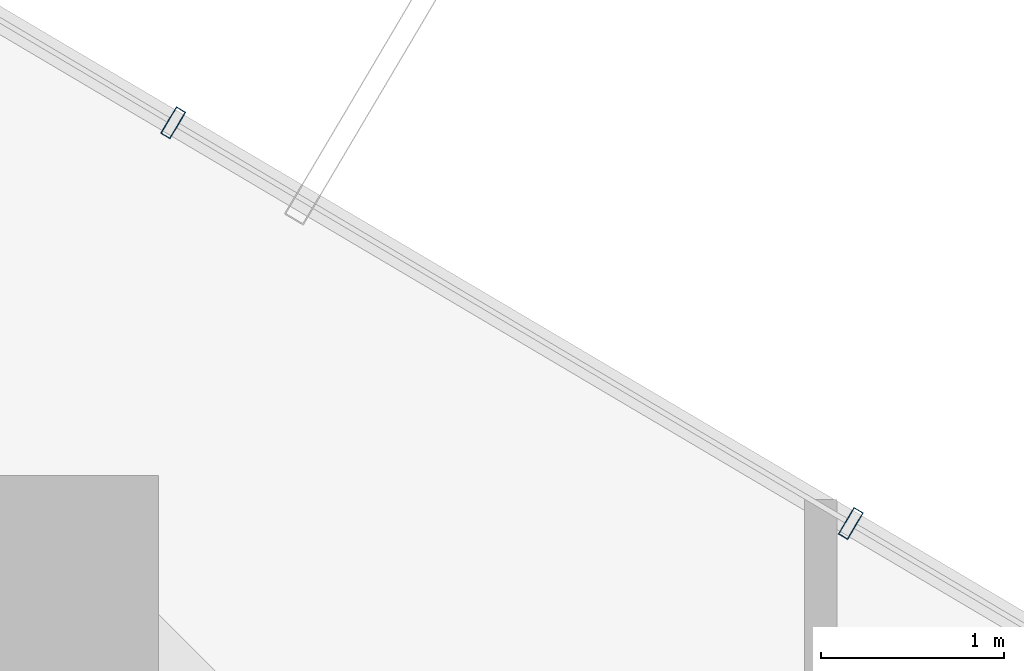
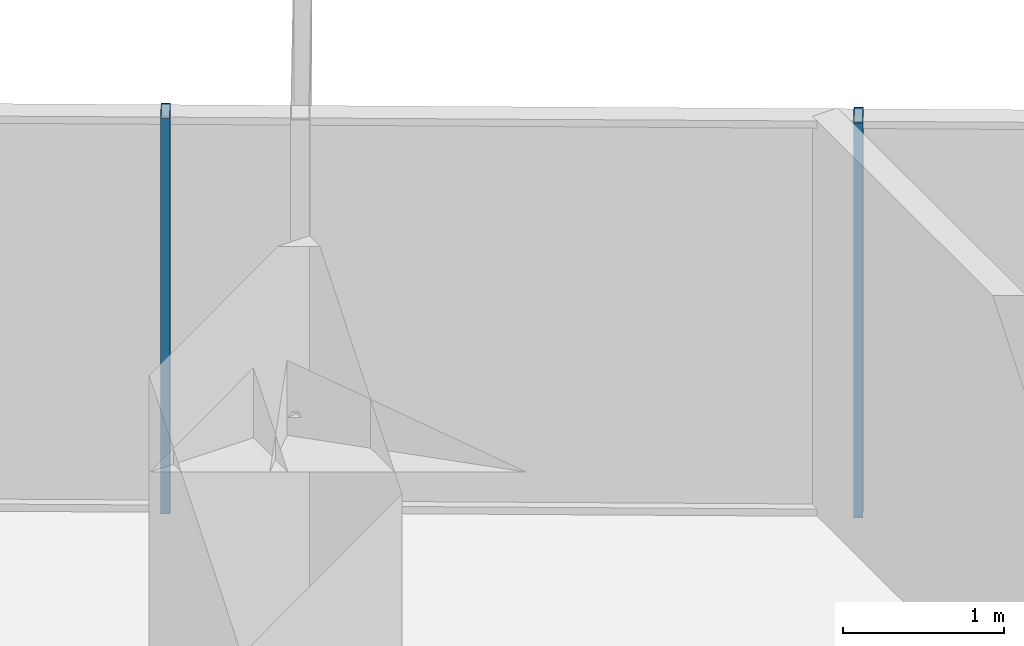
# One storey, part 21 of 30: 2 members, 1 element without a shape of its own.
"""IFC4 building model written with IfcOpenShell, lengths in metres."""

from ifc_helpers import new_model, si_unit, direction, frame, origin, origin_2d, place, context, subcontext, project, spatial, hollow_rectangle, extrude, source, transform, mapped, material, layer, layer_set, material_profile, profile_set, type_object, element, aggregate, save


model = new_model("IFC4")

# Units and contexts
model_context = context("Model", 3, precision=1e-05, world=origin(), true_north=direction((0.0, 1.0)))
body_context = subcontext(model_context, "Body", "Model", "MODEL_VIEW")
ifc_project = project(units=[si_unit("LENGTHUNIT", "METRE"), si_unit("AREAUNIT", "SQUARE_METRE"), si_unit("VOLUMEUNIT", "CUBIC_METRE"), si_unit("PLANEANGLEUNIT", "RADIAN"), si_unit("MASSUNIT", "GRAM", prefix="KILO")], contexts=[model_context])

# Site, building, storey
site_placement = place(None, origin())
site = spatial("IfcSite", under=ifc_project, at=site_placement, CompositionType="ELEMENT")
building_placement = place(site_placement, origin())
building = spatial("IfcBuilding", under=site, at=building_placement, Name="Veraguas Prism Commons", CompositionType="ELEMENT")
storey_placement = place(building_placement, frame((0.0, 0.0, 126.25)))
storey = spatial("IfcBuildingStorey", under=building, at=storey_placement, Name="L35", CompositionType="ELEMENT", Elevation=126.25)

# Curtain wall, members
ifc_material = material(Name="Anodised aluminium EN AW-6063 T6", Category="aluminium")
ifc_layer = layer(ifc_material, 0.169921875, Name="Unitised Flush Curtain Wall Zone 2", Category="aluminium")
ifc_layer_set = layer_set([ifc_layer], Name="Anodised aluminium EN AW-6063 T6")
curtain_wall_type = type_object("IfcCurtainWallType", Name="Unitised Flush Curtain Wall Zone 2", PredefinedType="NOTDEFINED", material=ifc_layer_set)
curtain_wall_placement = place(storey_placement, origin())
curtain_wall = element("IfcCurtainWall", 1, at=curtain_wall_placement, inside=storey, type_object=curtain_wall_type, Name="Tower Facade Curtain Wall L35-F1", PredefinedType="NOTDEFINED")
ifc_material_profile = material_profile(ifc_material, hollow_rectangle(XDim=0.06005859375, YDim=0.169921875, WallThickness=0.00390625, at=origin_2d()), Name="AL60X170X4")
ifc_profile_set = profile_set([ifc_material_profile], Name="Anodised aluminium EN AW-6063 T6")
member_type = type_object("IfcMemberType", Name="Curtain Wall Mullion Lower AL 60x170x4", PredefinedType="MULLION", material=ifc_profile_set)
shared_shape = source(origin(), body_context, "Body", "SweptSolid", [
    extrude(hollow_rectangle(XDim=0.06005859375, YDim=0.169921875, WallThickness=0.00390625, at=origin_2d()), origin(), (0.0, 0.0, 1.0), 3.0),
])
member_1_placement = place(storey_placement, frame((33.7646484375, 40.51123046875, 0.0), z_axis=(0.0, 0.0, 1.0), x_axis=(-0.860742027004, 0.50904141575, 0.0)))
member_1 = element("IfcMember", 2, at=member_1_placement, type_object=member_type, Name="CW-Z2 Mullion 3", PredefinedType="MULLION", context=body_context, shape_type="MappedRepresentation", body=[
    mapped(shared_shape, transform((0.0, 0.0, 0.0), scale=1.0)),
])
member_2_placement = place(storey_placement, frame((30.055908203125, 42.704345703125, 0.0), z_axis=(0.0, 0.0, 1.0), x_axis=(-0.860742027004, 0.50904141575, 0.0)))
member_2 = element("IfcMember", 3, at=member_2_placement, type_object=member_type, Name="CW-Z2 Mullion 4", PredefinedType="MULLION", context=body_context, shape_type="MappedRepresentation", body=[
    mapped(shared_shape, transform((0.0, 0.0, 0.0), scale=1.0)),
])
aggregate(curtain_wall, [member_1, member_2])

save(model, "model.ifc")
